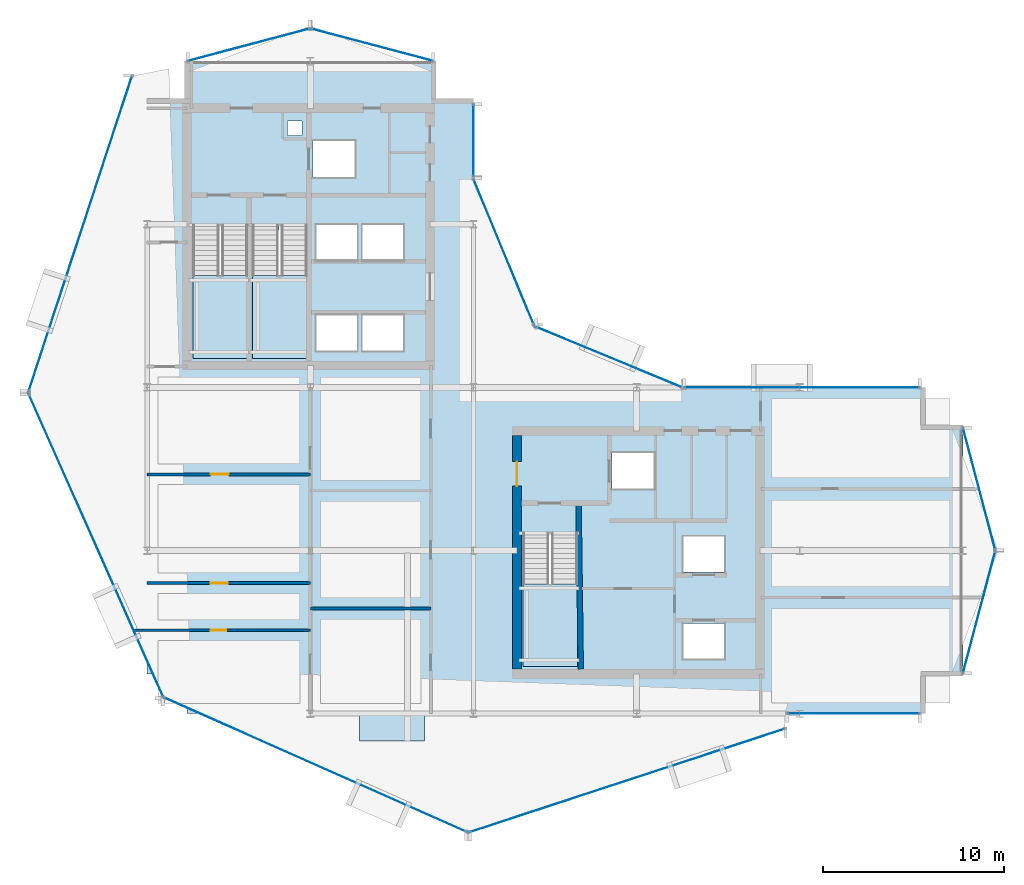
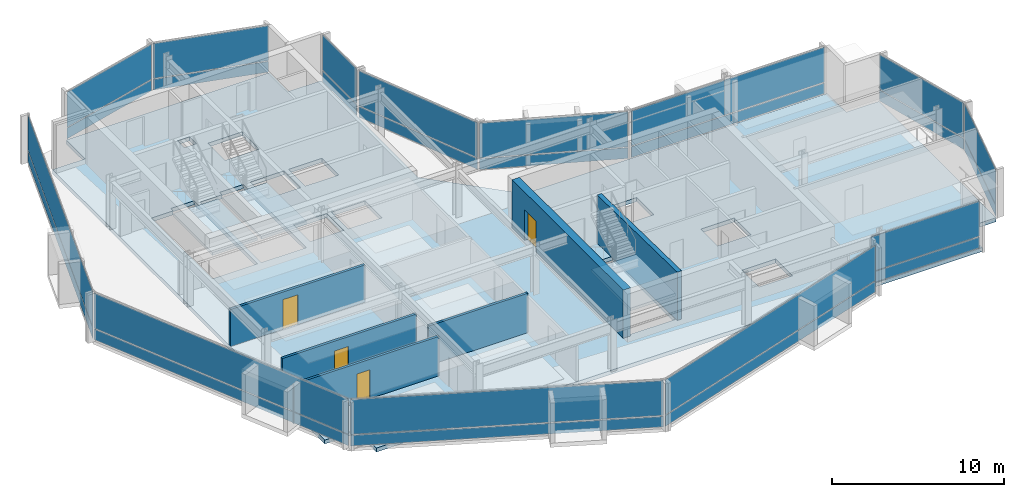
# One storey, part 19 of 27: 26 plates, 6 walls, 5 slabs, 4 doors, 4 openings, 16 elements without a shape of their own.
"""IFC4 building model written with IfcOpenShell, lengths in metres."""

from ifc_helpers import new_model, si_unit, direction, frame, frame_2d, origin, origin_2d, place, context, subcontext, project, spatial, polyline, rectangle, outline, extrude, material, layer, layer_set, type_object, element, fill, aggregate, save


model = new_model("IFC4")

# Units and contexts
model_context = context("Model", 3, precision=1e-05, world=origin(), true_north=direction((0.0, 1.0)))
body_context = subcontext(model_context, "Body", "Model", "MODEL_VIEW")
ifc_project = project(units=[si_unit("LENGTHUNIT", "METRE"), si_unit("AREAUNIT", "SQUARE_METRE"), si_unit("VOLUMEUNIT", "CUBIC_METRE"), si_unit("PLANEANGLEUNIT", "RADIAN"), si_unit("MASSUNIT", "GRAM", prefix="KILO")], contexts=[model_context])

# Site, building, storey
site_placement = place(None, origin())
site = spatial("IfcSite", under=ifc_project, at=site_placement, CompositionType="ELEMENT")
building_placement = place(site_placement, origin())
building = spatial("IfcBuilding", under=site, at=building_placement, Name="Solvaryn Broadcast Tower", CompositionType="ELEMENT")
storey_placement = place(building_placement, frame((0.0, 0.0, 174.199951171875)))
storey = spatial("IfcBuildingStorey", under=building, at=storey_placement, Name="L43", CompositionType="ELEMENT", Elevation=174.199951171875)

# Curtain wall, plates
ifc_material_1 = material(Name="Aluminium and Terracotta Unitised Curtain Wall", Category="masonry")
ifc_layer_1 = layer(ifc_material_1, 0.199951171875)
ifc_layer_set_1 = layer_set([ifc_layer_1], Name="CW-SYS2-LOWMID")
curtain_wall_type_1 = type_object("IfcCurtainWallType", Name="CW-SYS2-LOWMID", PredefinedType="NOTDEFINED", material=ifc_layer_set_1)
curtain_wall_1_placement = place(storey_placement, origin())
curtain_wall_1 = element("IfcCurtainWall", 1, at=curtain_wall_1_placement, inside=storey, type_object=curtain_wall_type_1, Name="L43 Curtain Wall DR1", PredefinedType="NOTDEFINED")
ifc_material_2 = material(Name="Low-Iron Insulated Vision Glass", Category="glass")
ifc_layer_2 = layer(ifc_material_2, 0.035888671875)
ifc_layer_set_2 = layer_set([ifc_layer_2], Name="CW-PNL-VISION")
plate_type = type_object("IfcPlateType", Name="CW-PNL-VISION", PredefinedType="CURTAIN_PANEL", material=ifc_layer_set_2)
plate_1_placement = place(storey_placement, frame((5.298095703125, 35.444091796875, 0.06005859375), z_axis=(0.0, 0.0, 1.0), x_axis=(-0.311558717623, -0.950226902099, 0.0)))
plate_1 = element("IfcPlate", 2, at=plate_1_placement, type_object=plate_type, Name="CWS2 panel 1.1", PredefinedType="CURTAIN_PANEL", context=body_context, shape_type="SweptSolid", body=[
    extrude(rectangle(XDim=18.271484375, YDim=0.028076171875, at=origin_2d()), origin(), (0.0, 0.0, 1.0), 0.760009765625),
])
plate_2_placement = place(storey_placement, frame((5.298095703125, 35.444091796875, 0.880126953125), z_axis=(0.0, 0.0, 1.0), x_axis=(-0.311558717623, -0.950226902099, 0.0)))
plate_2 = element("IfcPlate", 3, at=plate_2_placement, type_object=plate_type, Name="CWS2 panel 1.2", PredefinedType="CURTAIN_PANEL", context=body_context, shape_type="SweptSolid", body=[
    extrude(rectangle(XDim=18.271484375, YDim=0.028076171875, at=origin_2d()), origin(), (0.0, 0.0, 1.0), 2.47998046875),
])
aggregate(curtain_wall_1, [plate_1, plate_2])

ifc_material_3 = material(Name="Aluminium and Terracotta Unitised Curtain Wall", Category="masonry")
ifc_layer_3 = layer(ifc_material_3, 0.239990234375)
ifc_layer_set_3 = layer_set([ifc_layer_3], Name="CW-SYS3-BAYBOX")
curtain_wall_type_2 = type_object("IfcCurtainWallType", Name="CW-SYS3-BAYBOX", PredefinedType="NOTDEFINED", material=ifc_layer_set_3)
curtain_wall_2_placement = place(storey_placement, origin())
curtain_wall_2 = element("IfcCurtainWall", 4, at=curtain_wall_2_placement, inside=storey, type_object=curtain_wall_type_2, Name="L43 Curtain Wall DR2", PredefinedType="NOTDEFINED")
plate_3_placement = place(storey_placement, frame((6.16552734375, 18.302001953125, 0.06005859375), z_axis=(0.0, 0.0, 1.0), x_axis=(0.405901337237, -0.913916902365, 0.0)))
plate_3 = element("IfcPlate", 5, at=plate_3_placement, type_object=plate_type, Name="CWS3 panel 1.1", PredefinedType="CURTAIN_PANEL", context=body_context, shape_type="SweptSolid", body=[
    extrude(rectangle(XDim=18.271240234375, YDim=0.028076171875, at=origin_2d()), origin(), (0.0, 0.0, 1.0), 0.760009765625),
])
plate_4_placement = place(storey_placement, frame((6.16552734375, 18.302001953125, 0.880126953125), z_axis=(0.0, 0.0, 1.0), x_axis=(0.405901337237, -0.913916902365, 0.0)))
plate_4 = element("IfcPlate", 6, at=plate_4_placement, type_object=plate_type, Name="CWS3 panel 1.2", PredefinedType="CURTAIN_PANEL", context=body_context, shape_type="SweptSolid", body=[
    extrude(rectangle(XDim=18.271240234375, YDim=0.028076171875, at=origin_2d()), origin(), (0.0, 0.0, 1.0), 2.47998046875),
])
aggregate(curtain_wall_2, [plate_3, plate_4])

curtain_wall_3_placement = place(storey_placement, origin())
curtain_wall_3 = element("IfcCurtainWall", 7, at=curtain_wall_3_placement, inside=storey, type_object=curtain_wall_type_1, Name="L43 Curtain Wall DR3", PredefinedType="NOTDEFINED")
plate_5_placement = place(storey_placement, frame((18.302001953125, 6.16552734375, 0.06005859375), z_axis=(0.0, 0.0, 1.0), x_axis=(0.913916902365, -0.405901337237, 0.0)))
plate_5 = element("IfcPlate", 8, at=plate_5_placement, type_object=plate_type, Name="CWS2 panel 1.1", PredefinedType="CURTAIN_PANEL", context=body_context, shape_type="SweptSolid", body=[
    extrude(rectangle(XDim=18.271240234375, YDim=0.028076171875, at=origin_2d()), origin(), (0.0, 0.0, 1.0), 0.760009765625),
])
plate_6_placement = place(storey_placement, frame((18.302001953125, 6.16552734375, 0.880126953125), z_axis=(0.0, 0.0, 1.0), x_axis=(0.913916902365, -0.405901337237, 0.0)))
plate_6 = element("IfcPlate", 9, at=plate_6_placement, type_object=plate_type, Name="CWS2 panel 1.2", PredefinedType="CURTAIN_PANEL", context=body_context, shape_type="SweptSolid", body=[
    extrude(rectangle(XDim=18.271240234375, YDim=0.028076171875, at=origin_2d()), origin(), (0.0, 0.0, 1.0), 2.47998046875),
])
aggregate(curtain_wall_3, [plate_5, plate_6])

curtain_wall_4_placement = place(storey_placement, origin())
curtain_wall_4 = element("IfcCurtainWall", 10, at=curtain_wall_4_placement, inside=storey, type_object=curtain_wall_type_1, Name="L43 Curtain Wall DR4", PredefinedType="NOTDEFINED")
plate_7_placement = place(storey_placement, frame((35.444091796875, 5.298095703125, 0.06005859375), z_axis=(0.0, 0.0, 1.0), x_axis=(0.950226902099, 0.311558717623, 0.0)))
plate_7 = element("IfcPlate", 11, at=plate_7_placement, type_object=plate_type, Name="CWS2 panel 1.1", PredefinedType="CURTAIN_PANEL", context=body_context, shape_type="SweptSolid", body=[
    extrude(rectangle(XDim=18.271484375, YDim=0.028076171875, at=origin_2d()), origin(), (0.0, 0.0, 1.0), 0.760009765625),
])
plate_8_placement = place(storey_placement, frame((35.444091796875, 5.298095703125, 0.880126953125), z_axis=(0.0, 0.0, 1.0), x_axis=(0.950226902099, 0.311558717623, 0.0)))
plate_8 = element("IfcPlate", 12, at=plate_8_placement, type_object=plate_type, Name="CWS2 panel 1.2", PredefinedType="CURTAIN_PANEL", context=body_context, shape_type="SweptSolid", body=[
    extrude(rectangle(XDim=18.271484375, YDim=0.028076171875, at=origin_2d()), origin(), (0.0, 0.0, 1.0), 2.47998046875),
])
aggregate(curtain_wall_4, [plate_7, plate_8])

curtain_wall_5_placement = place(storey_placement, origin())
curtain_wall_5 = element("IfcCurtainWall", 13, at=curtain_wall_5_placement, inside=storey, type_object=curtain_wall_type_1, Name="L43 Curtain Wall IV", PredefinedType="NOTDEFINED")
plate_9_placement = place(storey_placement, frame((27.0, 40.625, 0.06005859375), z_axis=(0.0, 0.0, 1.0), x_axis=(0.0, -1.0, 0.0)))
plate_9 = element("IfcPlate", 14, at=plate_9_placement, type_object=plate_type, Name="CWS2 panel 1.1", PredefinedType="CURTAIN_PANEL", context=body_context, shape_type="SweptSolid", body=[
    extrude(rectangle(XDim=3.929931640625, YDim=0.028076171875, at=origin_2d()), origin(), (0.0, 0.0, 1.0), 0.760009765625),
])
plate_10_placement = place(storey_placement, frame((27.0, 40.625, 0.880126953125), z_axis=(0.0, 0.0, 1.0), x_axis=(0.0, -1.0, 0.0)))
plate_10 = element("IfcPlate", 15, at=plate_10_placement, type_object=plate_type, Name="CWS2 panel 1.2", PredefinedType="CURTAIN_PANEL", context=body_context, shape_type="SweptSolid", body=[
    extrude(rectangle(XDim=3.929931640625, YDim=0.028076171875, at=origin_2d()), origin(), (0.0, 0.0, 1.0), 2.47998046875),
])
aggregate(curtain_wall_5, [plate_9, plate_10])

curtain_wall_6_placement = place(storey_placement, origin())
curtain_wall_6 = element("IfcCurtainWall", 16, at=curtain_wall_6_placement, inside=storey, type_object=curtain_wall_type_1, Name="L43 Curtain Wall CN1", PredefinedType="NOTDEFINED")
plate_11_placement = place(storey_placement, frame((34.43408203125, 28.68408203125, 0.06005859375), z_axis=(0.0, 0.0, 1.0), x_axis=(-0.923894983957, 0.382646127145, 0.0)))
plate_11 = element("IfcPlate", 17, at=plate_11_placement, type_object=plate_type, Name="CWS2 panel 1.1", PredefinedType="CURTAIN_PANEL", context=body_context, shape_type="SweptSolid", body=[
    extrude(rectangle(XDim=8.681884765625, YDim=0.028076171875, at=origin_2d()), origin(), (0.0, 0.0, 1.0), 0.760009765625),
])
plate_12_placement = place(storey_placement, frame((34.43408203125, 28.68408203125, 0.880126953125), z_axis=(0.0, 0.0, 1.0), x_axis=(-0.923894983957, 0.382646127145, 0.0)))
plate_12 = element("IfcPlate", 18, at=plate_12_placement, type_object=plate_type, Name="CWS2 panel 1.2", PredefinedType="CURTAIN_PANEL", context=body_context, shape_type="SweptSolid", body=[
    extrude(rectangle(XDim=8.681884765625, YDim=0.028076171875, at=origin_2d()), origin(), (0.0, 0.0, 1.0), 2.47998046875),
])
aggregate(curtain_wall_6, [plate_11, plate_12])

curtain_wall_7_placement = place(storey_placement, origin())
curtain_wall_7 = element("IfcCurtainWall", 19, at=curtain_wall_7_placement, inside=storey, type_object=curtain_wall_type_1, Name="L43 Curtain Wall CN2", PredefinedType="NOTDEFINED")
plate_13_placement = place(storey_placement, frame((28.68408203125, 34.43408203125, 0.06005859375), z_axis=(0.0, 0.0, 1.0), x_axis=(-0.382646127145, 0.923894983957, 0.0)))
plate_13 = element("IfcPlate", 20, at=plate_13_placement, type_object=plate_type, Name="CWS2 panel 1.1", PredefinedType="CURTAIN_PANEL", context=body_context, shape_type="SweptSolid", body=[
    extrude(rectangle(XDim=8.681884765625, YDim=0.028076171875, at=origin_2d()), origin(), (0.0, 0.0, 1.0), 0.760009765625),
])
plate_14_placement = place(storey_placement, frame((28.68408203125, 34.43408203125, 0.880126953125), z_axis=(0.0, 0.0, 1.0), x_axis=(-0.382646127145, 0.923894983957, 0.0)))
plate_14 = element("IfcPlate", 21, at=plate_14_placement, type_object=plate_type, Name="CWS2 panel 1.2", PredefinedType="CURTAIN_PANEL", context=body_context, shape_type="SweptSolid", body=[
    extrude(rectangle(XDim=8.681884765625, YDim=0.028076171875, at=origin_2d()), origin(), (0.0, 0.0, 1.0), 2.47998046875),
])
aggregate(curtain_wall_7, [plate_13, plate_14])

curtain_wall_8_placement = place(storey_placement, origin())
curtain_wall_8 = element("IfcCurtainWall", 22, at=curtain_wall_8_placement, inside=storey, type_object=curtain_wall_type_1, Name="L43 Curtain Wall S2", PredefinedType="NOTDEFINED")
plate_15_placement = place(storey_placement, frame((47.966064453125, 9.0, 0.06005859375), z_axis=(0.0, 0.0, 1.0), x_axis=(1.0, 0.0, 0.0)))
plate_15 = element("IfcPlate", 23, at=plate_15_placement, type_object=plate_type, Name="CWS2 panel 1.1", PredefinedType="CURTAIN_PANEL", context=body_context, shape_type="SweptSolid", body=[
    extrude(rectangle(XDim=7.248046875, YDim=0.028076171875, at=origin_2d()), origin(), (0.0, 0.0, 1.0), 0.760009765625),
])
plate_16_placement = place(storey_placement, frame((47.966064453125, 9.0, 0.880126953125), z_axis=(0.0, 0.0, 1.0), x_axis=(1.0, 0.0, 0.0)))
plate_16 = element("IfcPlate", 24, at=plate_16_placement, type_object=plate_type, Name="CWS2 panel 1.2", PredefinedType="CURTAIN_PANEL", context=body_context, shape_type="SweptSolid", body=[
    extrude(rectangle(XDim=7.248046875, YDim=0.028076171875, at=origin_2d()), origin(), (0.0, 0.0, 1.0), 2.47998046875),
])
aggregate(curtain_wall_8, [plate_15, plate_16])

curtain_wall_9_placement = place(storey_placement, origin())
curtain_wall_9 = element("IfcCurtainWall", 25, at=curtain_wall_9_placement, inside=storey, type_object=curtain_wall_type_1, Name="L43 Curtain Wall NT1", PredefinedType="NOTDEFINED")
plate_17_placement = place(storey_placement, frame((21.39990234375, 45.89990234375, 0.06005859375), z_axis=(0.0, 0.0, 1.0), x_axis=(-0.966705227863, 0.25589256031, 0.0)))
plate_17 = element("IfcPlate", 26, at=plate_17_placement, type_object=plate_type, Name="CWS2 panel 1.1", PredefinedType="CURTAIN_PANEL", context=body_context, shape_type="SweptSolid", body=[
    extrude(rectangle(XDim=6.914306640625, YDim=0.028076171875, at=origin_2d()), origin(), (0.0, 0.0, 1.0), 0.760009765625),
])
plate_18_placement = place(storey_placement, frame((21.39990234375, 45.89990234375, 0.880126953125), z_axis=(0.0, 0.0, 1.0), x_axis=(-0.966705227863, 0.25589256031, 0.0)))
plate_18 = element("IfcPlate", 27, at=plate_18_placement, type_object=plate_type, Name="CWS2 panel 1.2", PredefinedType="CURTAIN_PANEL", context=body_context, shape_type="SweptSolid", body=[
    extrude(rectangle(XDim=6.914306640625, YDim=0.028076171875, at=origin_2d()), origin(), (0.0, 0.0, 1.0), 2.47998046875),
])
aggregate(curtain_wall_9, [plate_17, plate_18])

curtain_wall_10_placement = place(storey_placement, origin())
curtain_wall_10 = element("IfcCurtainWall", 28, at=curtain_wall_10_placement, inside=storey, type_object=curtain_wall_type_1, Name="L43 Curtain Wall NT2", PredefinedType="NOTDEFINED")
plate_19_placement = place(storey_placement, frame((14.60009765625, 45.89990234375, 0.06005859375), z_axis=(0.0, 0.0, 1.0), x_axis=(-0.966705227863, -0.25589256031, 0.0)))
plate_19 = element("IfcPlate", 29, at=plate_19_placement, type_object=plate_type, Name="CWS2 panel 1.1", PredefinedType="CURTAIN_PANEL", context=body_context, shape_type="SweptSolid", body=[
    extrude(rectangle(XDim=6.914306640625, YDim=0.028076171875, at=origin_2d()), origin(), (0.0, 0.0, 1.0), 0.760009765625),
])
plate_20_placement = place(storey_placement, frame((14.60009765625, 45.89990234375, 0.880126953125), z_axis=(0.0, 0.0, 1.0), x_axis=(-0.966705227863, -0.25589256031, 0.0)))
plate_20 = element("IfcPlate", 30, at=plate_20_placement, type_object=plate_type, Name="CWS2 panel 1.2", PredefinedType="CURTAIN_PANEL", context=body_context, shape_type="SweptSolid", body=[
    extrude(rectangle(XDim=6.914306640625, YDim=0.028076171875, at=origin_2d()), origin(), (0.0, 0.0, 1.0), 2.47998046875),
])
aggregate(curtain_wall_10, [plate_19, plate_20])

curtain_wall_11_placement = place(storey_placement, origin())
curtain_wall_11 = element("IfcCurtainWall", 31, at=curtain_wall_11_placement, inside=storey, type_object=curtain_wall_type_1, Name="L43 Curtain Wall ET1", PredefinedType="NOTDEFINED")
plate_21_placement = place(storey_placement, frame((54.89990234375, 21.39990234375, 0.06005859375), z_axis=(0.0, 0.0, 1.0), x_axis=(0.25589256031, -0.966705227863, 0.0)))
plate_21 = element("IfcPlate", 32, at=plate_21_placement, type_object=plate_type, Name="CWS2 panel 1.1", PredefinedType="CURTAIN_PANEL", context=body_context, shape_type="SweptSolid", body=[
    extrude(rectangle(XDim=6.914306640625, YDim=0.028076171875, at=origin_2d()), origin(), (0.0, 0.0, 1.0), 0.760009765625),
])
plate_22_placement = place(storey_placement, frame((54.89990234375, 21.39990234375, 0.880126953125), z_axis=(0.0, 0.0, 1.0), x_axis=(0.25589256031, -0.966705227863, 0.0)))
plate_22 = element("IfcPlate", 33, at=plate_22_placement, type_object=plate_type, Name="CWS2 panel 1.2", PredefinedType="CURTAIN_PANEL", context=body_context, shape_type="SweptSolid", body=[
    extrude(rectangle(XDim=6.914306640625, YDim=0.028076171875, at=origin_2d()), origin(), (0.0, 0.0, 1.0), 2.47998046875),
])
aggregate(curtain_wall_11, [plate_21, plate_22])

curtain_wall_12_placement = place(storey_placement, origin())
curtain_wall_12 = element("IfcCurtainWall", 34, at=curtain_wall_12_placement, inside=storey, type_object=curtain_wall_type_1, Name="L43 Curtain Wall ET2", PredefinedType="NOTDEFINED")
plate_23_placement = place(storey_placement, frame((54.89990234375, 14.60009765625, 0.06005859375), z_axis=(0.0, 0.0, 1.0), x_axis=(-0.25589256031, -0.966705227863, 0.0)))
plate_23 = element("IfcPlate", 35, at=plate_23_placement, type_object=plate_type, Name="CWS2 panel 1.1", PredefinedType="CURTAIN_PANEL", context=body_context, shape_type="SweptSolid", body=[
    extrude(rectangle(XDim=6.914306640625, YDim=0.028076171875, at=origin_2d()), origin(), (0.0, 0.0, 1.0), 0.760009765625),
])
plate_24_placement = place(storey_placement, frame((54.89990234375, 14.60009765625, 0.880126953125), z_axis=(0.0, 0.0, 1.0), x_axis=(-0.25589256031, -0.966705227863, 0.0)))
plate_24 = element("IfcPlate", 36, at=plate_24_placement, type_object=plate_type, Name="CWS2 panel 1.2", PredefinedType="CURTAIN_PANEL", context=body_context, shape_type="SweptSolid", body=[
    extrude(rectangle(XDim=6.914306640625, YDim=0.028076171875, at=origin_2d()), origin(), (0.0, 0.0, 1.0), 2.47998046875),
])
aggregate(curtain_wall_12, [plate_23, plate_24])

curtain_wall_13_placement = place(storey_placement, origin())
curtain_wall_13 = element("IfcCurtainWall", 37, at=curtain_wall_13_placement, inside=storey, type_object=curtain_wall_type_1, Name="L43 Curtain Wall IH", PredefinedType="NOTDEFINED")
plate_25_placement = place(storey_placement, frame((45.125, 27.0, 0.06005859375), z_axis=(0.0, 0.0, 1.0), x_axis=(1.0, 0.0, 0.0)))
plate_25 = element("IfcPlate", 38, at=plate_25_placement, type_object=plate_type, Name="CWS2 panel 1.1", PredefinedType="CURTAIN_PANEL", context=body_context, shape_type="SweptSolid", body=[
    extrude(rectangle(XDim=12.929931640625, YDim=0.028076171875, at=origin_2d()), origin(), (0.0, 0.0, 1.0), 0.760009765625),
])
plate_26_placement = place(storey_placement, frame((45.125, 27.0, 0.880126953125), z_axis=(0.0, 0.0, 1.0), x_axis=(1.0, 0.0, 0.0)))
plate_26 = element("IfcPlate", 39, at=plate_26_placement, type_object=plate_type, Name="CWS2 panel 1.2", PredefinedType="CURTAIN_PANEL", context=body_context, shape_type="SweptSolid", body=[
    extrude(rectangle(XDim=12.929931640625, YDim=0.028076171875, at=origin_2d()), origin(), (0.0, 0.0, 1.0), 2.47998046875),
])
aggregate(curtain_wall_13, [plate_25, plate_26])

# Slab
ifc_material_4 = material(Name="Concrete f'c 60 MPa", Category="concrete")
ifc_layer_4 = layer(ifc_material_4, 0.2099609375)
ifc_layer_set_4 = layer_set([ifc_layer_4], Name="SL-BAYBOX-210")
slab_type_1 = type_object("IfcSlabType", Name="SL-BAYBOX-210", PredefinedType="FLOOR", material=ifc_layer_set_4)
slab_1_placement = place(storey_placement, frame((0.0, 0.0, -0.2099609375)))
element("IfcSlab", 40, at=slab_1_placement, inside=storey, type_object=slab_type_1, Name="L43 Projecting Bay-Box Slab 1", PredefinedType="FLOOR", context=body_context, shape_type="SweptSolid", body=[
    extrude(outline(polyline([(20.699951171875, 7.5), (24.300048828125, 7.5), (24.300048828125, 9.0), (20.699951171875, 9.0), (20.699951171875, 7.5)])), origin(), (0.0, 0.0, 1.0), 0.2099609375),
])

# Stair, slab
ifc_material_5 = material(Name="Concrete f'c 60 MPa", Category="concrete")
stair_type = type_object("IfcStairType", Name="ST-CORE", PredefinedType="HALF_TURN_STAIR", material=ifc_material_5)
stair_1_placement = place(storey_placement, origin())
stair_1 = element("IfcStair", 41, at=stair_1_placement, inside=storey, type_object=stair_type, Name="L43 ST1", PredefinedType="HALF_TURN_STAIR")
ifc_material_6 = material(Name="Concrete f'c 60 MPa", Category="concrete")
ifc_layer_5 = layer(ifc_material_6, 0.199951171875)
ifc_layer_set_5 = layer_set([ifc_layer_5], Name="SL-LANDING-200")
slab_type_2 = type_object("IfcSlabType", Name="SL-LANDING-200", PredefinedType="LANDING", material=ifc_layer_set_5)
slab_2_placement = place(storey_placement, frame((0.0, 0.0, 1.650146484375)))
slab_2 = element("IfcSlab", 42, at=slab_2_placement, type_object=slab_type_2, Name="ST1 landing 1", PredefinedType="LANDING", context=body_context, shape_type="SweptSolid", body=[
    extrude(outline(polyline([(11.52001953125, 33.159912109375), (11.52001953125, 28.60009765625), (14.550048828125, 28.60009765625), (14.550048828125, 33.159912109375), (11.52001953125, 33.159912109375)])), origin(), (0.0, 0.0, 1.0), 0.199951171875),
])
aggregate(stair_1, [slab_2])

stair_2_placement = place(storey_placement, origin())
stair_2 = element("IfcStair", 43, at=stair_2_placement, inside=storey, type_object=stair_type, Name="L43 ST2", PredefinedType="HALF_TURN_STAIR")
slab_3_placement = place(storey_placement, frame((0.0, 0.0, 1.650146484375)))
slab_3 = element("IfcSlab", 44, at=slab_3_placement, type_object=slab_type_2, Name="ST2 landing 1", PredefinedType="LANDING", context=body_context, shape_type="SweptSolid", body=[
    extrude(outline(polyline([(14.800048828125, 33.159912109375), (14.800048828125, 28.60009765625), (17.830078125, 28.60009765625), (17.830078125, 33.159912109375), (14.800048828125, 33.159912109375)])), origin(), (0.0, 0.0, 1.0), 0.199951171875),
])
aggregate(stair_2, [slab_3])

stair_3_placement = place(storey_placement, origin())
stair_3 = element("IfcStair", 45, at=stair_3_placement, inside=storey, type_object=stair_type, Name="L43 ST3", PredefinedType="HALF_TURN_STAIR")
slab_4_placement = place(storey_placement, frame((0.0, 0.0, 1.650146484375)))
slab_4 = element("IfcSlab", 46, at=slab_4_placement, type_object=slab_type_2, Name="ST3 landing 1", PredefinedType="LANDING", context=body_context, shape_type="SweptSolid", body=[
    extrude(outline(polyline([(29.719970703125, 16.159912109375), (29.719970703125, 11.60009765625), (32.75, 11.60009765625), (32.75, 16.159912109375), (29.719970703125, 16.159912109375)])), origin(), (0.0, 0.0, 1.0), 0.199951171875),
])
aggregate(stair_3, [slab_4])

# Slab
ifc_material_7 = material(Name="Concrete f'c 60 MPa", Category="concrete")
ifc_layer_6 = layer(ifc_material_7, 0.280029296875)
ifc_layer_set_6 = layer_set([ifc_layer_6], Name="SL-TWR-280")
slab_type_3 = type_object("IfcSlabType", Name="SL-TWR-280", PredefinedType="FLOOR", material=ifc_layer_set_6)
slab_5_placement = place(storey_placement, frame((0.0, 0.0, -0.280029296875)))
element("IfcSlab", 47, at=slab_5_placement, inside=storey, type_object=slab_type_3, Name="L43 Structural Floor Slab", PredefinedType="FLOOR", context=body_context, shape_type="SweptSolid", body=[
    extrude(outline(polyline([(11.199951171875, 9.0), (51.800048828125, 9.0), (51.800048828125, 11.199951171875), (54.0, 11.199951171875), (54.0, 24.800048828125), (51.800048828125, 24.800048828125), (51.800048828125, 27.0), (31.5, 27.0), (27.0, 31.5), (27.0, 42.800048828125), (24.800048828125, 42.800048828125), (24.800048828125, 45.0), (11.199951171875, 45.0), (11.199951171875, 42.800048828125), (9.0, 42.800048828125), (9.0, 11.199951171875), (11.199951171875, 11.199951171875), (11.199951171875, 9.0)]), holes=[polyline([(11.52001953125, 28.60009765625), (14.550048828125, 28.60009765625), (14.550048828125, 35.9599609375), (12.97998046875, 35.9599609375), (12.97998046875, 35.679931640625), (11.52001953125, 35.679931640625), (11.52001953125, 28.60009765625)]), polyline([(14.800048828125, 28.60009765625), (17.830078125, 28.60009765625), (17.830078125, 35.9599609375), (16.260009765625, 35.9599609375), (16.260009765625, 35.679931640625), (14.800048828125, 35.679931640625), (14.800048828125, 28.60009765625)]), polyline([(29.719970703125, 11.60009765625), (32.75, 11.60009765625), (32.75, 18.9599609375), (31.179931640625, 18.9599609375), (31.179931640625, 18.679931640625), (29.719970703125, 18.679931640625), (29.719970703125, 11.60009765625)]), polyline([(18.14990234375, 38.60009765625), (20.449951171875, 38.60009765625), (20.449951171875, 40.60009765625), (18.14990234375, 40.60009765625), (18.14990234375, 38.60009765625)]), polyline([(18.324951171875, 29.02490234375), (20.574951171875, 29.02490234375), (20.574951171875, 30.97509765625), (18.324951171875, 30.97509765625), (18.324951171875, 29.02490234375)]), polyline([(20.875, 29.02490234375), (23.125, 29.02490234375), (23.125, 30.97509765625), (20.875, 30.97509765625), (20.875, 29.02490234375)]), polyline([(18.324951171875, 34.02490234375), (20.574951171875, 34.02490234375), (20.574951171875, 35.97509765625), (18.324951171875, 35.97509765625), (18.324951171875, 34.02490234375)]), polyline([(20.875, 34.02490234375), (23.125, 34.02490234375), (23.125, 35.97509765625), (20.875, 35.97509765625), (20.875, 34.02490234375)]), polyline([(34.64990234375, 21.39990234375), (36.949951171875, 21.39990234375), (36.949951171875, 23.39990234375), (34.64990234375, 23.39990234375), (34.64990234375, 21.39990234375)]), polyline([(38.574951171875, 12.02490234375), (40.824951171875, 12.02490234375), (40.824951171875, 13.97509765625), (38.574951171875, 13.97509765625), (38.574951171875, 12.02490234375)]), polyline([(38.574951171875, 16.824951171875), (40.824951171875, 16.824951171875), (40.824951171875, 18.77490234375), (38.574951171875, 18.77490234375), (38.574951171875, 16.824951171875)]), polyline([(16.75, 40.89990234375), (17.550048828125, 40.89990234375), (17.550048828125, 41.699951171875), (16.75, 41.699951171875), (16.75, 40.89990234375)])]), origin(), (0.0, 0.0, 1.0), 0.280029296875),
])

# Wall, opening, door
ifc_material_8 = material(Name="Concrete f'c 70 MPa", Category="concrete")
ifc_layer_7 = layer(ifc_material_8, 0.5)
ifc_layer_set_7 = layer_set([ifc_layer_7], Name="CW-SHEAR-500")
wall_type_1 = type_object("IfcWallType", Name="CW-SHEAR-500", PredefinedType="SHEAR", material=ifc_layer_set_7)
wall_1_placement = place(storey_placement, frame((29.39990234375, 24.35009765625, 0.0), z_axis=(0.0, 0.0, 1.0), x_axis=(0.0, -1.0, 0.0)))
wall_1 = element("IfcWall", 48, at=wall_1_placement, inside=storey, type_object=wall_type_1, Name="L43 East Core West Shear Wall", PredefinedType="SHEAR", context=body_context, shape_type="SweptSolid", body=[
    extrude(rectangle(XDim=12.900146484375, YDim=0.5, at=frame_2d((6.4501953125, 0.0))), origin(), (0.0, 0.0, 1.0), 3.420166015625),
])
opening_1_placement = place(wall_1_placement, frame((1.449951171875, 0.0, 0.0)))
opening_1 = element("IfcOpeningElement", 49, at=opening_1_placement, cuts=wall_1, Name="Opening FD90B", PredefinedType="OPENING", context=body_context, shape_type="SweptSolid", body=[
    extrude(rectangle(XDim=1.35009765625, YDim=2.14990234375, at=frame_2d((0.675048828125, 1.074951171875))), frame((0.0, 0.260009765625, 0.0), z_axis=(0.0, -1.0, 0.0), x_axis=(1.0, 0.0, 0.0)), (0.0, 0.0, 1.0), 0.52001953125),
])
ifc_material_9 = material(Name="Flush Acoustic Steel and Timber Door Assembly", Category="steel")
door_type_1 = type_object("IfcDoorType", Name="FD90-LOBBY-1350X2150", OperationType="NOTDEFINED", PredefinedType="DOOR", material=ifc_material_9)
door_1_placement = place(opening_1_placement, origin())
door_1 = element("IfcDoor", 50, at=door_1_placement, inside=storey, type_object=door_type_1, Name="L43 East FSAE Lobby Door", OperationType="SINGLE_SWING_RIGHT", OverallHeight=2.14990234375, OverallWidth=1.35009765625, PredefinedType="DOOR", context=body_context, shape_type="SweptSolid", body=[
    extrude(rectangle(XDim=1.35009765625, YDim=2.14990234375, at=frame_2d((0.675048828125, 1.074951171875))), frame((0.0, 0.02490234375, 0.0), z_axis=(0.0, -1.0, 0.0), x_axis=(1.0, 0.0, 0.0)), (0.0, 0.0, 1.0), 0.050048828125),
])
fill(opening_1, door_1)

# Wall
ifc_material_10 = material(Name="Metal-Stud Gypsum Office Partition")
ifc_layer_8 = layer(ifc_material_10, 0.159912109375)
ifc_layer_set_8 = layer_set([ifc_layer_8], Name="IW-PART-160")
wall_type_2 = type_object("IfcWallType", Name="IW-PART-160", PredefinedType="PARTITIONING", material=ifc_layer_set_8)
wall_2_placement = place(storey_placement, frame((18.0, 14.800048828125, 0.0), z_axis=(0.0, 0.0, 1.0), x_axis=(1.0, 0.0, 0.0)))
element("IfcWall", 51, at=wall_2_placement, inside=storey, type_object=wall_type_2, Name="L43 Interior Partition IW-L43-SWE-H1", PredefinedType="PARTITIONING", context=body_context, shape_type="SweptSolid", body=[
    extrude(rectangle(XDim=6.64990234375, YDim=0.159912109375, at=frame_2d((3.324951171875, 0.0))), origin(), (0.0, 0.0, 1.0), 2.7919921875),
])

# Wall, opening, door
wall_3_placement = place(storey_placement, frame((8.25390625, 13.60009765625, 0.0), z_axis=(0.0, 0.0, 1.0), x_axis=(1.0, 0.0, 0.0)))
wall_3 = element("IfcWall", 52, at=wall_3_placement, inside=storey, type_object=wall_type_2, Name="L43 Interior Partition IW-L43-SWW-H1", PredefinedType="PARTITIONING", context=body_context, shape_type="SweptSolid", body=[
    extrude(rectangle(XDim=9.74609375, YDim=0.159912109375, at=frame_2d((4.873046875, 0.0))), origin(), (0.0, 0.0, 1.0), 2.7919921875),
])
opening_2_placement = place(wall_3_placement, frame((4.24609375, 0.0, 0.0)))
opening_2 = element("IfcOpeningElement", 53, at=opening_2_placement, cuts=wall_3, Name="Opening ID07", PredefinedType="OPENING", context=body_context, shape_type="SweptSolid", body=[
    extrude(rectangle(XDim=0.860107421875, YDim=2.050048828125, at=frame_2d((0.43017578125, 1.02490234375))), frame((0.0, 0.090087890625, 0.0), z_axis=(0.0, -1.0, 0.0), x_axis=(1.0, 0.0, 0.0)), (0.0, 0.0, 1.0), 0.179931640625),
])
ifc_material_11 = material(Name="Flush Acoustic Steel and Timber Door Assembly", Category="steel")
door_type_2 = type_object("IfcDoorType", Name="ID-07-860X2050", OperationType="NOTDEFINED", PredefinedType="DOOR", material=ifc_material_11)
door_2_placement = place(opening_2_placement, origin())
door_2 = element("IfcDoor", 54, at=door_2_placement, inside=storey, type_object=door_type_2, Name="L43 Door DR-L43-SWW-1", OperationType="SINGLE_SWING_LEFT", OverallHeight=2.050048828125, OverallWidth=0.860107421875, PredefinedType="DOOR", context=body_context, shape_type="SweptSolid", body=[
    extrude(rectangle(XDim=0.860107421875, YDim=2.050048828125, at=frame_2d((0.43017578125, 1.02490234375))), frame((0.0, 0.02490234375, 0.0), z_axis=(0.0, -1.0, 0.0), x_axis=(1.0, 0.0, 0.0)), (0.0, 0.0, 1.0), 0.050048828125),
])
fill(opening_2, door_2)

wall_4_placement = place(storey_placement, frame((9.0, 16.199951171875, 0.0), z_axis=(0.0, 0.0, 1.0), x_axis=(1.0, 0.0, 0.0)))
wall_4 = element("IfcWall", 55, at=wall_4_placement, inside=storey, type_object=wall_type_2, Name="L43 Interior Partition IW-L43-SWW-H2", PredefinedType="PARTITIONING", context=body_context, shape_type="SweptSolid", body=[
    extrude(rectangle(XDim=9.0, YDim=0.159912109375, at=frame_2d((4.5, 0.0))), origin(), (0.0, 0.0, 1.0), 2.7919921875),
])
opening_3_placement = place(wall_4_placement, frame((3.5, 0.0, 0.0)))
opening_3 = element("IfcOpeningElement", 56, at=opening_3_placement, cuts=wall_4, Name="Opening ID01", PredefinedType="OPENING", context=body_context, shape_type="SweptSolid", body=[
    extrude(rectangle(XDim=0.949951171875, YDim=2.10009765625, at=frame_2d((0.47509765625, 1.050048828125))), frame((0.0, 0.090087890625, 0.0), z_axis=(0.0, -1.0, 0.0), x_axis=(1.0, 0.0, 0.0)), (0.0, 0.0, 1.0), 0.179931640625),
])
ifc_material_12 = material(Name="Flush Acoustic Steel and Timber Door Assembly", Category="steel")
door_type_3 = type_object("IfcDoorType", Name="ID-01-950X2100", OperationType="NOTDEFINED", PredefinedType="DOOR", material=ifc_material_12)
door_3_placement = place(opening_3_placement, origin())
door_3 = element("IfcDoor", 57, at=door_3_placement, inside=storey, type_object=door_type_3, Name="L43 Door DR-L43-SWW-2", OperationType="SINGLE_SWING_RIGHT", OverallHeight=2.10009765625, OverallWidth=0.949951171875, PredefinedType="DOOR", context=body_context, shape_type="SweptSolid", body=[
    extrude(rectangle(XDim=0.949951171875, YDim=2.10009765625, at=frame_2d((0.47509765625, 1.050048828125))), frame((0.0, 0.02490234375, 0.0), z_axis=(0.0, -1.0, 0.0), x_axis=(1.0, 0.0, 0.0)), (0.0, 0.0, 1.0), 0.050048828125),
])
fill(opening_3, door_3)

wall_5_placement = place(storey_placement, frame((9.0, 22.199951171875, 0.0), z_axis=(0.0, 0.0, 1.0), x_axis=(1.0, 0.0, 0.0)))
wall_5 = element("IfcWall", 58, at=wall_5_placement, inside=storey, type_object=wall_type_2, Name="L43 Interior Partition IW-L43-SWW-H3", PredefinedType="PARTITIONING", context=body_context, shape_type="SweptSolid", body=[
    extrude(rectangle(XDim=9.0, YDim=0.159912109375, at=frame_2d((4.5, 0.0))), origin(), (0.0, 0.0, 1.0), 2.634033203125),
])
opening_4_placement = place(wall_5_placement, frame((3.5, 0.0, 0.0)))
opening_4 = element("IfcOpeningElement", 59, at=opening_4_placement, cuts=wall_5, Name="Opening ID02", PredefinedType="OPENING", context=body_context, shape_type="SweptSolid", body=[
    extrude(rectangle(XDim=1.0, YDim=2.10009765625, at=frame_2d((0.5, 1.050048828125))), frame((0.0, 0.090087890625, 0.0), z_axis=(0.0, -1.0, 0.0), x_axis=(1.0, 0.0, 0.0)), (0.0, 0.0, 1.0), 0.179931640625),
])
ifc_material_13 = material(Name="Flush Acoustic Steel and Timber Door Assembly", Category="steel")
door_type_4 = type_object("IfcDoorType", Name="ID-02-1000X2100", OperationType="NOTDEFINED", PredefinedType="DOOR", material=ifc_material_13)
door_4_placement = place(opening_4_placement, origin())
door_4 = element("IfcDoor", 60, at=door_4_placement, inside=storey, type_object=door_type_4, Name="L43 Door DR-L43-SWW-3", OperationType="SINGLE_SWING_LEFT", OverallHeight=2.10009765625, OverallWidth=1.0, PredefinedType="DOOR", context=body_context, shape_type="SweptSolid", body=[
    extrude(rectangle(XDim=1.0, YDim=2.10009765625, at=frame_2d((0.5, 1.050048828125))), frame((0.0, 0.02490234375, 0.0), z_axis=(0.0, -1.0, 0.0), x_axis=(1.0, 0.0, 0.0)), (0.0, 0.0, 1.0), 0.050048828125),
])
fill(opening_4, door_4)

# Wall
ifc_material_14 = material(Name="Concrete f'c 70 MPa", Category="concrete")
ifc_layer_9 = layer(ifc_material_14, 0.300048828125)
ifc_layer_set_9 = layer_set([ifc_layer_9], Name="SW-SHAFT-300")
wall_type_3 = type_object("IfcWallType", Name="SW-SHAFT-300", PredefinedType="SHEAR", material=ifc_layer_set_9)
wall_6_placement = place(storey_placement, frame((32.919921875, 11.449951171875, 0.0), z_axis=(0.0, 0.0, 1.0), x_axis=(-0.013171578211, 0.999913251001, 0.0)))
element("IfcWall", 61, at=wall_6_placement, inside=storey, type_object=wall_type_3, Name="L43 Stair 3 East Shear Wall", PredefinedType="SHEAR", context=body_context, shape_type="SweptSolid", body=[
    extrude(rectangle(XDim=9.100830078125, YDim=0.300048828125, at=frame_2d((4.55029296875, 0.0))), origin(), (0.0, 0.0, 1.0), 3.420166015625),
])

save(model, "model.ifc")
